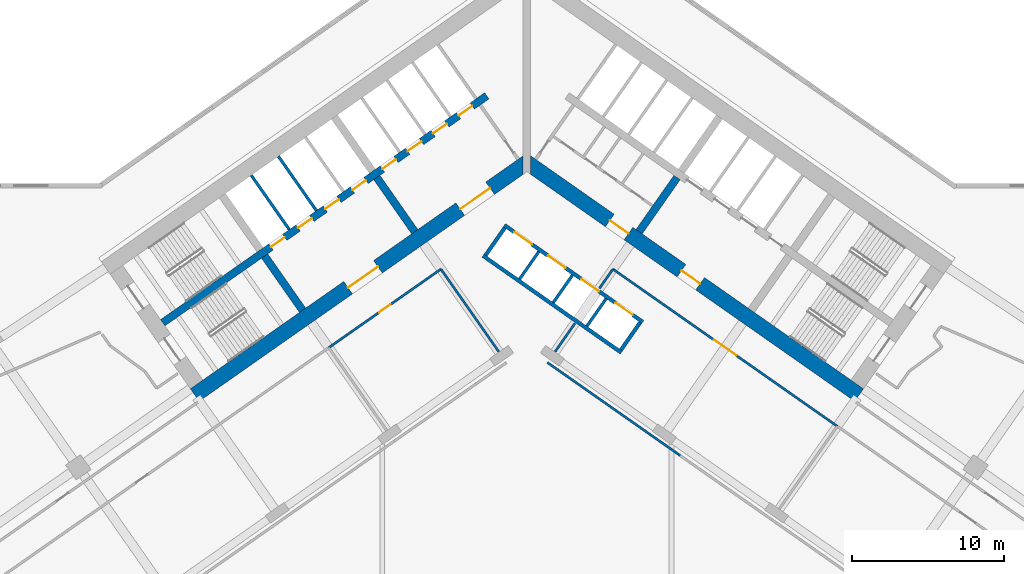
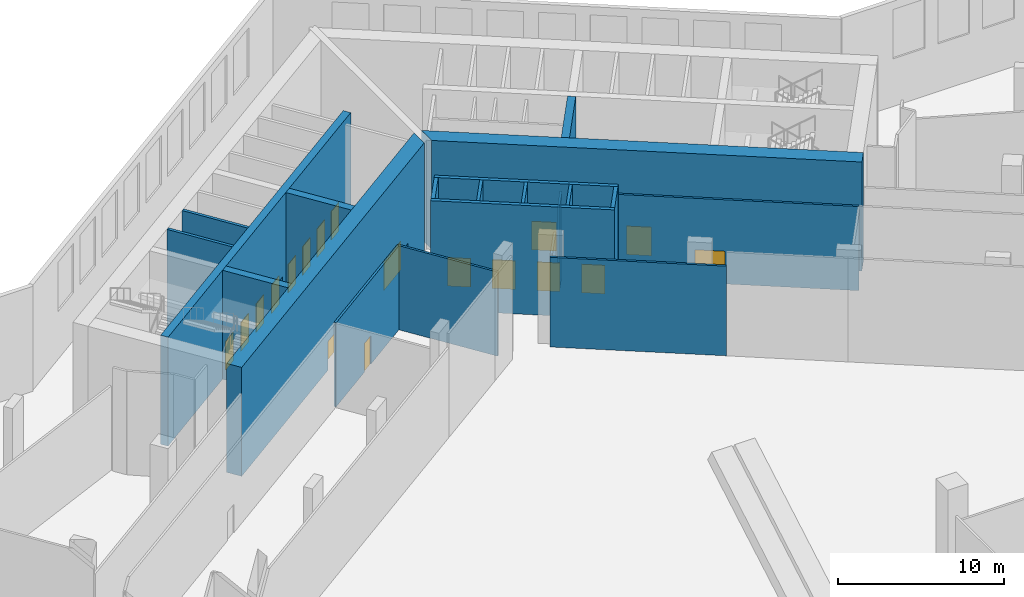
# One storey, part 10 of 27: 21 walls, 18 doors, 18 openings.
"""IFC4 building model written with IfcOpenShell, lengths in metres."""

from ifc_helpers import new_model, si_unit, direction, frame, frame_2d, origin, place, context, subcontext, project, spatial, polyline, rectangle, outline, extrude, material, layer, layer_set, type_object, element, fill, save


model = new_model("IFC4")

# Units and contexts
model_context = context("Model", 3, precision=1e-05, world=origin(), true_north=direction((0.0, 1.0)))
body_context = subcontext(model_context, "Body", "Model", "MODEL_VIEW")
ifc_project = project(units=[si_unit("LENGTHUNIT", "METRE"), si_unit("AREAUNIT", "SQUARE_METRE"), si_unit("VOLUMEUNIT", "CUBIC_METRE"), si_unit("PLANEANGLEUNIT", "RADIAN"), si_unit("MASSUNIT", "GRAM", prefix="KILO")], contexts=[model_context])

# Site, building, storey
site_placement = place(None, origin())
site = spatial("IfcSite", under=ifc_project, at=site_placement, CompositionType="ELEMENT")
building_placement = place(site_placement, origin())
building = spatial("IfcBuilding", under=site, at=building_placement, Name="Tel Ilan Convention Tower", CompositionType="ELEMENT")
storey_placement = place(building_placement, frame((0.0, 0.0, 18.0)))
storey = spatial("IfcBuildingStorey", under=building, at=storey_placement, Name="L02", CompositionType="ELEMENT", Elevation=18.0)

# Wall, openings, doors
ifc_material_1 = material(Name="Concrete C60/75", Category="concrete")
ifc_layer_1 = layer(ifc_material_1, 1.0)
ifc_layer_set_1 = layer_set([ifc_layer_1], Name="Core Shear Wall 1000 mm C60/75")
wall_type_1 = type_object("IfcWallType", Name="Core Shear Wall 1000 mm C60/75", PredefinedType="SHEAR", material=ifc_layer_set_1)
wall_1_placement = place(storey_placement, frame((0.036865234375, -0.584716796875, 0.0), z_axis=(0.0, 0.0, 1.0), x_axis=(-0.819157152511, -0.573569140985, 0.0)))
wall_1 = element("IfcWall", 1, at=wall_1_placement, inside=storey, type_object=wall_type_1, Name="L02 core wall W-front", PredefinedType="SHEAR", context=body_context, shape_type="SweptSolid", body=[
    extrude(outline(polyline([(26.69482421875, 0.500244140625), (0.7001953125, 0.499755859375), (0.0, -0.5), (26.69482421875, -0.499755859375), (26.69482421875, 0.500244140625)])), origin(), (0.0, 0.0, 1.0), 8.0),
])
opening_1_placement = place(wall_1_placement, frame((2.994873046875, 0.0, 0.0)))
opening_1 = element("IfcOpeningElement", 2, at=opening_1_placement, cuts=wall_1, Name="Opening CD0505", PredefinedType="OPENING", context=body_context, shape_type="SweptSolid", body=[
    extrude(rectangle(XDim=2.39990234375, YDim=2.10009765625, at=frame_2d((1.199951171875, 1.050048828125))), frame((0.0, 0.510009765625, 0.0), z_axis=(0.0, -1.0, 0.0), x_axis=(1.0, 0.0, 0.0)), (0.0, 0.0, 1.0), 1.02001953125),
])
opening_2_placement = place(wall_1_placement, frame((11.994873046875, 0.0, 0.0)))
opening_2 = element("IfcOpeningElement", 3, at=opening_2_placement, cuts=wall_1, Name="Opening CD0506", PredefinedType="OPENING", context=body_context, shape_type="SweptSolid", body=[
    extrude(rectangle(XDim=2.39990234375, YDim=2.10009765625, at=frame_2d((1.199951171875, 1.050048828125))), frame((0.0, 0.510009765625, 0.0), z_axis=(0.0, -1.0, 0.0), x_axis=(1.0, 0.0, 0.0)), (0.0, 0.0, 1.0), 1.02001953125),
])
ifc_material_2 = material(Name="Glazed Aluminium Door Leaf", Category="aluminium")
door_type_1 = type_object("IfcDoorType", Name="Lobby Opening Door 2400 x 2100 FD60S", OperationType="NOTDEFINED", PredefinedType="DOOR", material=ifc_material_2)
door_1_placement = place(opening_1_placement, origin())
door_1 = element("IfcDoor", 4, at=door_1_placement, inside=storey, type_object=door_type_1, Name="Lift Lobby LR1-LR4 opening", OperationType="DOUBLE_DOOR_SINGLE_SWING", OverallHeight=2.10009765625, OverallWidth=2.39990234375, PredefinedType="DOOR", context=body_context, shape_type="SweptSolid", body=[
    extrude(rectangle(XDim=2.39990234375, YDim=2.10009765625, at=frame_2d((1.199951171875, 1.050048828125))), frame((0.0, 0.02490234375, 0.0), z_axis=(0.0, -1.0, 0.0), x_axis=(1.0, 0.0, 0.0)), (0.0, 0.0, 1.0), 0.050048828125),
])
fill(opening_1, door_1)
door_2_placement = place(opening_2_placement, origin())
door_2 = element("IfcDoor", 5, at=door_2_placement, inside=storey, type_object=door_type_1, Name="Lift Lobby LR5-LR8 opening", OperationType="DOUBLE_DOOR_SINGLE_SWING", OverallHeight=2.10009765625, OverallWidth=2.39990234375, PredefinedType="DOOR", context=body_context, shape_type="SweptSolid", body=[
    extrude(rectangle(XDim=2.39990234375, YDim=2.10009765625, at=frame_2d((1.199951171875, 1.050048828125))), frame((0.0, 0.02490234375, 0.0), z_axis=(0.0, -1.0, 0.0), x_axis=(1.0, 0.0, 0.0)), (0.0, 0.0, 1.0), 0.050048828125),
])
fill(opening_2, door_2)

wall_2_placement = place(storey_placement, frame((-0.036865234375, -0.584716796875, 0.0), z_axis=(0.0, 0.0, 1.0), x_axis=(0.819157152511, -0.573569140985, 0.0)))
wall_2 = element("IfcWall", 6, at=wall_2_placement, inside=storey, type_object=wall_type_1, Name="L02 core wall E-front", PredefinedType="SHEAR", context=body_context, shape_type="SweptSolid", body=[
    extrude(outline(polyline([(26.69482421875, 0.499755859375), (0.0, 0.5), (0.7001953125, -0.499755859375), (26.69482421875, -0.500244140625), (26.69482421875, 0.499755859375)])), origin(), (0.0, 0.0, 1.0), 8.0),
])
opening_3_placement = place(wall_2_placement, frame((6.69482421875, 0.0, 0.0)))
opening_3 = element("IfcOpeningElement", 7, at=opening_3_placement, cuts=wall_2, Name="Opening CD0503", PredefinedType="OPENING", context=body_context, shape_type="SweptSolid", body=[
    extrude(rectangle(XDim=1.5, YDim=2.10009765625, at=frame_2d((0.75, 1.050048828125))), frame((0.0, 0.510009765625, 0.0), z_axis=(0.0, -1.0, 0.0), x_axis=(1.0, 0.0, 0.0)), (0.0, 0.0, 1.0), 1.02001953125),
])
opening_4_placement = place(wall_2_placement, frame((12.44482421875, 0.0, 0.0)))
opening_4 = element("IfcOpeningElement", 8, at=opening_4_placement, cuts=wall_2, Name="Opening CD0504", PredefinedType="OPENING", context=body_context, shape_type="SweptSolid", body=[
    extrude(rectangle(XDim=1.5, YDim=2.10009765625, at=frame_2d((0.75, 1.050048828125))), frame((0.0, 0.510009765625, 0.0), z_axis=(0.0, -1.0, 0.0), x_axis=(1.0, 0.0, 0.0)), (0.0, 0.0, 1.0), 1.02001953125),
])
ifc_material_3 = material(Name="Glazed Aluminium Door Leaf", Category="aluminium")
door_type_2 = type_object("IfcDoorType", Name="Lobby Opening Door 1500 x 2100 FD60S", OperationType="NOTDEFINED", PredefinedType="DOOR", material=ifc_material_3)
door_3_placement = place(opening_4_placement, origin())
door_3 = element("IfcDoor", 9, at=door_3_placement, inside=storey, type_object=door_type_2, Name="Firefighting Lobby door", OperationType="DOUBLE_DOOR_SINGLE_SWING", OverallHeight=2.10009765625, OverallWidth=1.5, PredefinedType="DOOR", context=body_context, shape_type="SweptSolid", body=[
    extrude(rectangle(XDim=1.5, YDim=2.10009765625, at=frame_2d((0.75, 1.050048828125))), frame((0.0, 0.02490234375, 0.0), z_axis=(0.0, -1.0, 0.0), x_axis=(1.0, 0.0, 0.0)), (0.0, 0.0, 1.0), 0.050048828125),
])
fill(opening_4, door_3)
ifc_material_4 = material(Name="Laminated Timber Door Leaf", Category="wood")
door_type_3 = type_object("IfcDoorType", Name="Toilet Door 1500 x 2100 FD30S", OperationType="NOTDEFINED", PredefinedType="DOOR", material=ifc_material_4)
door_4_placement = place(opening_3_placement, origin())
door_4 = element("IfcDoor", 10, at=door_4_placement, inside=storey, type_object=door_type_3, Name="WC Lobby door", OperationType="SINGLE_SWING_RIGHT", OverallHeight=2.10009765625, OverallWidth=1.5, PredefinedType="DOOR", context=body_context, shape_type="SweptSolid", body=[
    extrude(rectangle(XDim=1.5, YDim=2.10009765625, at=frame_2d((0.75, 1.050048828125))), frame((0.0, 0.02490234375, 0.0), z_axis=(0.0, -1.0, 0.0), x_axis=(1.0, 0.0, 0.0)), (0.0, 0.0, 1.0), 0.050048828125),
])
fill(opening_3, door_4)

# Walls
ifc_material_5 = material(Name="Concrete C60/75", Category="concrete")
ifc_layer_2 = layer(ifc_material_5, 0.5)
ifc_layer_set_2 = layer_set([ifc_layer_2], Name="Core Shear Wall 500 mm C60/75")
wall_type_2 = type_object("IfcWallType", Name="Core Shear Wall 500 mm C60/75", PredefinedType="SHEAR", material=ifc_layer_set_2)
wall_3_placement = place(storey_placement, frame((-7.372314453125, -5.162109375, 0.0), z_axis=(0.0, 0.0, 1.0), x_axis=(-0.573594173421, 0.819139624372, 0.0)))
element("IfcWall", 11, at=wall_3_placement, inside=storey, type_object=wall_type_2, Name="L02 core wall W-cross1-1", PredefinedType="SHEAR", context=body_context, shape_type="SweptSolid", body=[
    extrude(outline(polyline([(4.349853515625, 0.25), (0.0, 0.250244140625), (0.0, -0.25), (4.349853515625, -0.25), (4.349853515625, 0.25)])), origin(), (0.0, 0.0, 1.0), 8.0),
])
wall_4_placement = place(storey_placement, frame((-14.74462890625, -10.324462890625, 0.0), z_axis=(0.0, 0.0, 1.0), x_axis=(-0.57356780395, 0.819158088694, 0.0)))
element("IfcWall", 12, at=wall_4_placement, inside=storey, type_object=wall_type_2, Name="L02 core wall W-cross2-1", PredefinedType="SHEAR", context=body_context, shape_type="SweptSolid", body=[
    extrude(outline(polyline([(4.35009765625, 0.250244140625), (0.0, 0.25), (0.0, -0.25), (4.35009765625, -0.25), (4.35009765625, 0.250244140625)])), origin(), (0.0, 0.0, 1.0), 8.0),
])

# Wall, openings, doors
wall_5_placement = place(storey_placement, frame((-2.638427734375, 3.76806640625, 0.0), z_axis=(0.0, 0.0, 1.0), x_axis=(-0.819148977158, -0.573580816643, 0.0)))
wall_5 = element("IfcWall", 13, at=wall_5_placement, inside=storey, type_object=wall_type_2, Name="L02 core wall W-spine", PredefinedType="SHEAR", context=body_context, shape_type="SweptSolid", body=[
    extrude(outline(polyline([(26.0, 0.249755859375), (0.0, 0.25), (0.0, -0.25), (26.0, -0.250244140625), (26.0, 0.249755859375)])), origin(), (0.0, 0.0, 1.0), 8.0),
])
opening_5_placement = place(wall_5_placement, frame((1.168701171875, 0.0, 0.0)))
opening_5 = element("IfcOpeningElement", 14, at=opening_5_placement, cuts=wall_5, Name="Opening LD0504", PredefinedType="OPENING", context=body_context, shape_type="SweptSolid", body=[
    extrude(rectangle(XDim=1.10009765625, YDim=2.10009765625, at=frame_2d((0.550048828125, 1.050048828125))), frame((0.0, 0.260009765625, 0.0), z_axis=(0.0, -1.0, 0.0), x_axis=(1.0, 0.0, 0.0)), (0.0, 0.0, 1.0), 0.52001953125),
])
opening_6_placement = place(wall_5_placement, frame((3.206298828125, 0.0, 0.0)))
opening_6 = element("IfcOpeningElement", 15, at=opening_6_placement, cuts=wall_5, Name="Opening LD0505", PredefinedType="OPENING", context=body_context, shape_type="SweptSolid", body=[
    extrude(rectangle(XDim=1.10009765625, YDim=2.10009765625, at=frame_2d((0.550048828125, 1.050048828125))), frame((0.0, 0.260009765625, 0.0), z_axis=(0.0, -1.0, 0.0), x_axis=(1.0, 0.0, 0.0)), (0.0, 0.0, 1.0), 0.52001953125),
])
opening_7_placement = place(wall_5_placement, frame((5.24365234375, 0.0, 0.0)))
opening_7 = element("IfcOpeningElement", 16, at=opening_7_placement, cuts=wall_5, Name="Opening LD0506", PredefinedType="OPENING", context=body_context, shape_type="SweptSolid", body=[
    extrude(rectangle(XDim=1.10009765625, YDim=2.10009765625, at=frame_2d((0.550048828125, 1.050048828125))), frame((0.0, 0.260009765625, 0.0), z_axis=(0.0, -1.0, 0.0), x_axis=(1.0, 0.0, 0.0)), (0.0, 0.0, 1.0), 0.52001953125),
])
opening_8_placement = place(wall_5_placement, frame((7.28125, 0.0, 0.0)))
opening_8 = element("IfcOpeningElement", 17, at=opening_8_placement, cuts=wall_5, Name="Opening LD0507", PredefinedType="OPENING", context=body_context, shape_type="SweptSolid", body=[
    extrude(rectangle(XDim=1.10009765625, YDim=2.10009765625, at=frame_2d((0.550048828125, 1.050048828125))), frame((0.0, 0.260009765625, 0.0), z_axis=(0.0, -1.0, 0.0), x_axis=(1.0, 0.0, 0.0)), (0.0, 0.0, 1.0), 0.52001953125),
])
opening_9_placement = place(wall_5_placement, frame((9.6875, 0.0, 0.0)))
opening_9 = element("IfcOpeningElement", 18, at=opening_9_placement, cuts=wall_5, Name="Opening LD0508", PredefinedType="OPENING", context=body_context, shape_type="SweptSolid", body=[
    extrude(rectangle(XDim=1.10009765625, YDim=2.10009765625, at=frame_2d((0.550048828125, 1.050048828125))), frame((0.0, 0.260009765625, 0.0), z_axis=(0.0, -1.0, 0.0), x_axis=(1.0, 0.0, 0.0)), (0.0, 0.0, 1.0), 0.52001953125),
])
opening_10_placement = place(wall_5_placement, frame((11.862548828125, 0.0, 0.0)))
opening_10 = element("IfcOpeningElement", 19, at=opening_10_placement, cuts=wall_5, Name="Opening LD0509", PredefinedType="OPENING", context=body_context, shape_type="SweptSolid", body=[
    extrude(rectangle(XDim=1.10009765625, YDim=2.10009765625, at=frame_2d((0.550048828125, 1.050048828125))), frame((0.0, 0.260009765625, 0.0), z_axis=(0.0, -1.0, 0.0), x_axis=(1.0, 0.0, 0.0)), (0.0, 0.0, 1.0), 0.52001953125),
])
opening_11_placement = place(wall_5_placement, frame((14.03759765625, 0.0, 0.0)))
opening_11 = element("IfcOpeningElement", 20, at=opening_11_placement, cuts=wall_5, Name="Opening LD0510", PredefinedType="OPENING", context=body_context, shape_type="SweptSolid", body=[
    extrude(rectangle(XDim=1.10009765625, YDim=2.10009765625, at=frame_2d((0.550048828125, 1.050048828125))), frame((0.0, 0.260009765625, 0.0), z_axis=(0.0, -1.0, 0.0), x_axis=(1.0, 0.0, 0.0)), (0.0, 0.0, 1.0), 0.52001953125),
])
opening_12_placement = place(wall_5_placement, frame((16.21240234375, 0.0, 0.0)))
opening_12 = element("IfcOpeningElement", 21, at=opening_12_placement, cuts=wall_5, Name="Opening LD0511", PredefinedType="OPENING", context=body_context, shape_type="SweptSolid", body=[
    extrude(rectangle(XDim=1.10009765625, YDim=2.10009765625, at=frame_2d((0.550048828125, 1.050048828125))), frame((0.0, 0.260009765625, 0.0), z_axis=(0.0, -1.0, 0.0), x_axis=(1.0, 0.0, 0.0)), (0.0, 0.0, 1.0), 0.52001953125),
])
ifc_material_6 = material(Name="Stainless Steel Sliding Door Leaf", Category="steel")
door_type_4 = type_object("IfcDoorType", Name="Lift Landing Door 1100 x 2100 FD120", OperationType="NOTDEFINED", PredefinedType="DOOR", material=ifc_material_6)
door_5_placement = place(opening_5_placement, origin())
door_5 = element("IfcDoor", 22, at=door_5_placement, inside=storey, type_object=door_type_4, Name="Lift LR1 landing door", OperationType="SLIDING_TO_LEFT", OverallHeight=2.10009765625, OverallWidth=1.10009765625, PredefinedType="DOOR", context=body_context, shape_type="SweptSolid", body=[
    extrude(rectangle(XDim=1.10009765625, YDim=2.10009765625, at=frame_2d((0.550048828125, 1.050048828125))), frame((0.0, 0.02490234375, 0.0), z_axis=(0.0, -1.0, 0.0), x_axis=(1.0, 0.0, 0.0)), (0.0, 0.0, 1.0), 0.050048828125),
])
fill(opening_5, door_5)
door_6_placement = place(opening_6_placement, origin())
door_6 = element("IfcDoor", 23, at=door_6_placement, inside=storey, type_object=door_type_4, Name="Lift LR2 landing door", OperationType="SLIDING_TO_RIGHT", OverallHeight=2.10009765625, OverallWidth=1.10009765625, PredefinedType="DOOR", context=body_context, shape_type="SweptSolid", body=[
    extrude(rectangle(XDim=1.10009765625, YDim=2.10009765625, at=frame_2d((0.550048828125, 1.050048828125))), frame((0.0, 0.02490234375, 0.0), z_axis=(0.0, -1.0, 0.0), x_axis=(1.0, 0.0, 0.0)), (0.0, 0.0, 1.0), 0.050048828125),
])
fill(opening_6, door_6)
door_7_placement = place(opening_7_placement, origin())
door_7 = element("IfcDoor", 24, at=door_7_placement, inside=storey, type_object=door_type_4, Name="Lift LR3 landing door", OperationType="SLIDING_TO_LEFT", OverallHeight=2.10009765625, OverallWidth=1.10009765625, PredefinedType="DOOR", context=body_context, shape_type="SweptSolid", body=[
    extrude(rectangle(XDim=1.10009765625, YDim=2.10009765625, at=frame_2d((0.550048828125, 1.050048828125))), frame((0.0, 0.02490234375, 0.0), z_axis=(0.0, -1.0, 0.0), x_axis=(1.0, 0.0, 0.0)), (0.0, 0.0, 1.0), 0.050048828125),
])
fill(opening_7, door_7)
door_8_placement = place(opening_8_placement, origin())
door_8 = element("IfcDoor", 25, at=door_8_placement, inside=storey, type_object=door_type_4, Name="Lift LR4 landing door", OperationType="SLIDING_TO_RIGHT", OverallHeight=2.10009765625, OverallWidth=1.10009765625, PredefinedType="DOOR", context=body_context, shape_type="SweptSolid", body=[
    extrude(rectangle(XDim=1.10009765625, YDim=2.10009765625, at=frame_2d((0.550048828125, 1.050048828125))), frame((0.0, 0.02490234375, 0.0), z_axis=(0.0, -1.0, 0.0), x_axis=(1.0, 0.0, 0.0)), (0.0, 0.0, 1.0), 0.050048828125),
])
fill(opening_8, door_8)
door_9_placement = place(opening_9_placement, origin())
door_9 = element("IfcDoor", 26, at=door_9_placement, inside=storey, type_object=door_type_4, Name="Lift LR5 landing door", OperationType="SLIDING_TO_LEFT", OverallHeight=2.10009765625, OverallWidth=1.10009765625, PredefinedType="DOOR", context=body_context, shape_type="SweptSolid", body=[
    extrude(rectangle(XDim=1.10009765625, YDim=2.10009765625, at=frame_2d((0.550048828125, 1.050048828125))), frame((0.0, 0.02490234375, 0.0), z_axis=(0.0, -1.0, 0.0), x_axis=(1.0, 0.0, 0.0)), (0.0, 0.0, 1.0), 0.050048828125),
])
fill(opening_9, door_9)
door_10_placement = place(opening_10_placement, origin())
door_10 = element("IfcDoor", 27, at=door_10_placement, inside=storey, type_object=door_type_4, Name="Lift LR6 landing door", OperationType="SLIDING_TO_RIGHT", OverallHeight=2.10009765625, OverallWidth=1.10009765625, PredefinedType="DOOR", context=body_context, shape_type="SweptSolid", body=[
    extrude(rectangle(XDim=1.10009765625, YDim=2.10009765625, at=frame_2d((0.550048828125, 1.050048828125))), frame((0.0, 0.02490234375, 0.0), z_axis=(0.0, -1.0, 0.0), x_axis=(1.0, 0.0, 0.0)), (0.0, 0.0, 1.0), 0.050048828125),
])
fill(opening_10, door_10)
door_11_placement = place(opening_11_placement, origin())
door_11 = element("IfcDoor", 28, at=door_11_placement, inside=storey, type_object=door_type_4, Name="Lift LR7 landing door", OperationType="SLIDING_TO_LEFT", OverallHeight=2.10009765625, OverallWidth=1.10009765625, PredefinedType="DOOR", context=body_context, shape_type="SweptSolid", body=[
    extrude(rectangle(XDim=1.10009765625, YDim=2.10009765625, at=frame_2d((0.550048828125, 1.050048828125))), frame((0.0, 0.02490234375, 0.0), z_axis=(0.0, -1.0, 0.0), x_axis=(1.0, 0.0, 0.0)), (0.0, 0.0, 1.0), 0.050048828125),
])
fill(opening_11, door_11)
door_12_placement = place(opening_12_placement, origin())
door_12 = element("IfcDoor", 29, at=door_12_placement, inside=storey, type_object=door_type_4, Name="Lift LR8 landing door", OperationType="SLIDING_TO_RIGHT", OverallHeight=2.10009765625, OverallWidth=1.10009765625, PredefinedType="DOOR", context=body_context, shape_type="SweptSolid", body=[
    extrude(rectangle(XDim=1.10009765625, YDim=2.10009765625, at=frame_2d((0.550048828125, 1.050048828125))), frame((0.0, 0.02490234375, 0.0), z_axis=(0.0, -1.0, 0.0), x_axis=(1.0, 0.0, 0.0)), (0.0, 0.0, 1.0), 0.050048828125),
])
fill(opening_12, door_12)

# Wall
wall_6_placement = place(storey_placement, frame((7.372314453125, -5.162109375, 0.0), z_axis=(0.0, 0.0, 1.0), x_axis=(0.573594173421, 0.819139624372, 0.0)))
element("IfcWall", 30, at=wall_6_placement, inside=storey, type_object=wall_type_2, Name="L02 core wall E-cross1-1", PredefinedType="SHEAR", context=body_context, shape_type="SweptSolid", body=[
    extrude(outline(polyline([(0.0, 0.25), (0.0, -0.250244140625), (4.349853515625, -0.25), (4.349853515625, 0.25), (0.0, 0.25)])), origin(), (0.0, 0.0, 1.0), 8.0),
])

# Wall, opening, door
ifc_material_7 = material(Name="Plasterboard on Steel Studs", Category="steel")
ifc_layer_3 = layer(ifc_material_7, 0.14990234375)
ifc_layer_set_3 = layer_set([ifc_layer_3], Name="Fire-rated Partition 150 EI 60")
wall_type_3 = type_object("IfcWallType", Name="Fire-rated Partition 150 EI 60", PredefinedType="PARTITIONING", material=ifc_layer_set_3)
wall_7_placement = place(storey_placement, frame((20.39794921875, -17.9453125, 0.0), z_axis=(0.0, 0.0, 1.0), x_axis=(-0.819147172988, 0.573583393228, 0.0)))
wall_7 = element("IfcWall", 31, at=wall_7_placement, inside=storey, type_object=wall_type_3, Name="Partition 002", PredefinedType="PARTITIONING", context=body_context, shape_type="SweptSolid", body=[
    extrude(rectangle(XDim=18.001953125, YDim=0.14990234375, at=frame_2d((9.0009765625, 0.0))), origin(), (0.0, 0.0, 1.0), 6.179931640625),
])
opening_13_placement = place(wall_7_placement, frame((8.10107421875, 0.0, 0.0)))
opening_13 = element("IfcOpeningElement", 32, at=opening_13_placement, cuts=wall_7, Name="Opening L02-004", PredefinedType="OPENING", context=body_context, shape_type="SweptSolid", body=[
    extrude(rectangle(XDim=1.800048828125, YDim=2.39990234375, at=frame_2d((0.89990234375, 1.199951171875))), frame((0.0, 0.0849609375, 0.0), z_axis=(0.0, -1.0, 0.0), x_axis=(1.0, 0.0, 0.0)), (0.0, 0.0, 1.0), 0.169921875),
])
ifc_material_8 = material(Name="Timber Door Leaf in Steel Frame", Category="steel")
door_type_5 = type_object("IfcDoorType", Name="Hall Double Fire Door 1800x2400", OperationType="NOTDEFINED", PredefinedType="DOOR", material=ifc_material_8)
door_13_placement = place(opening_13_placement, origin())
door_13 = element("IfcDoor", 33, at=door_13_placement, inside=storey, type_object=door_type_5, Name="Door L02-004", OperationType="DOUBLE_DOOR_SINGLE_SWING", OverallHeight=2.39990234375, OverallWidth=1.800048828125, PredefinedType="DOOR", context=body_context, shape_type="SweptSolid", body=[
    extrude(rectangle(XDim=1.800048828125, YDim=2.39990234375, at=frame_2d((0.89990234375, 1.199951171875))), frame((0.0, 0.02490234375, 0.0), z_axis=(0.0, -1.0, 0.0), x_axis=(1.0, 0.0, 0.0)), (0.0, 0.0, 1.0), 0.050048828125),
])
fill(opening_13, door_13)

wall_8_placement = place(storey_placement, frame((-5.651611328125, -7.61962890625, 0.0), z_axis=(0.0, 0.0, 1.0), x_axis=(-0.81915291695, -0.57357519006, 0.0)))
wall_8 = element("IfcWall", 34, at=wall_8_placement, inside=storey, type_object=wall_type_3, Name="Partition 005", PredefinedType="PARTITIONING", context=body_context, shape_type="SweptSolid", body=[
    extrude(rectangle(XDim=9.001953125, YDim=0.14990234375, at=frame_2d((4.5009765625, 0.0))), origin(), (0.0, 0.0, 1.0), 6.179931640625),
])
opening_14_placement = place(wall_8_placement, frame((4.051025390625, 0.0, 0.0)))
opening_14 = element("IfcOpeningElement", 35, at=opening_14_placement, cuts=wall_8, Name="Opening L02-001", PredefinedType="OPENING", context=body_context, shape_type="SweptSolid", body=[
    extrude(rectangle(XDim=0.89990234375, YDim=2.10009765625, at=frame_2d((0.449951171875, 1.050048828125))), frame((0.0, 0.0849609375, 0.0), z_axis=(0.0, -1.0, 0.0), x_axis=(1.0, 0.0, 0.0)), (0.0, 0.0, 1.0), 0.169921875),
])
ifc_material_9 = material(Name="Timber Door Leaf in Steel Frame", Category="steel")
door_type_6 = type_object("IfcDoorType", Name="Room Fire Door 900x2100", OperationType="NOTDEFINED", PredefinedType="DOOR", material=ifc_material_9)
door_14_placement = place(opening_14_placement, origin())
door_14 = element("IfcDoor", 36, at=door_14_placement, inside=storey, type_object=door_type_6, Name="Door L02-001", OperationType="SINGLE_SWING_RIGHT", OverallHeight=2.10009765625, OverallWidth=0.89990234375, PredefinedType="DOOR", context=body_context, shape_type="SweptSolid", body=[
    extrude(rectangle(XDim=0.89990234375, YDim=2.10009765625, at=frame_2d((0.449951171875, 1.050048828125))), frame((0.0, 0.02490234375, 0.0), z_axis=(0.0, -1.0, 0.0), x_axis=(1.0, 0.0, 0.0)), (0.0, 0.0, 1.0), 0.050048828125),
])
fill(opening_14, door_14)

# Walls
wall_9_placement = place(storey_placement, frame((10.0751953125, -19.872802734375, 0.0), z_axis=(0.0, 0.0, 1.0), x_axis=(-0.819148998885, 0.573580785615, 0.0)))
element("IfcWall", 37, at=wall_9_placement, inside=storey, type_object=wall_type_3, Name="Partition 019", PredefinedType="PARTITIONING", context=body_context, shape_type="SweptSolid", body=[
    extrude(rectangle(XDim=10.651611328125, YDim=0.14990234375, at=frame_2d((5.32568359375, 0.0))), origin(), (0.0, 0.0, 1.0), 6.580078125),
])
wall_10_placement = place(storey_placement, frame((1.848876953125, -13.050537109375, 0.0), z_axis=(0.0, 0.0, 1.0), x_axis=(0.57358452344, 0.819146381589, 0.0)))
element("IfcWall", 38, at=wall_10_placement, inside=storey, type_object=wall_type_3, Name="Partition 020", PredefinedType="PARTITIONING", context=body_context, shape_type="SweptSolid", body=[
    extrude(rectangle(XDim=2.27978515625, YDim=0.14990234375, at=frame_2d((1.139892578125, 0.0))), origin(), (0.0, 0.0, 1.0), 6.179931640625),
])
wall_11_placement = place(storey_placement, frame((4.7626953125, -8.889404296875, 0.0), z_axis=(0.0, 0.0, 1.0), x_axis=(0.573494057365, 0.819209720504, 0.0)))
element("IfcWall", 39, at=wall_11_placement, inside=storey, type_object=wall_type_3, Name="Partition 021", PredefinedType="PARTITIONING", context=body_context, shape_type="SweptSolid", body=[
    extrude(rectangle(XDim=1.550048828125, YDim=0.14990234375, at=frame_2d((0.77490234375, 0.0))), origin(), (0.0, 0.0, 1.0), 6.179931640625),
])
wall_12_placement = place(storey_placement, frame((-1.848876953125, -13.050537109375, 0.0), z_axis=(0.0, 0.0, 1.0), x_axis=(-0.573575988258, 0.819152358047, 0.0)))
element("IfcWall", 40, at=wall_12_placement, inside=storey, type_object=wall_type_3, Name="Partition 068", PredefinedType="PARTITIONING", context=body_context, shape_type="SweptSolid", body=[
    extrude(rectangle(XDim=6.632080078125, YDim=0.14990234375, at=frame_2d((3.31591796875, 0.0))), origin(), (0.0, 0.0, 1.0), 6.179931640625),
])
ifc_material_10 = material(Name="Concrete C30/37", Category="concrete")
ifc_layer_4 = layer(ifc_material_10, 0.199951171875)
ifc_layer_set_4 = layer_set([ifc_layer_4], Name="Lift Shaft Wall 200 mm C30/37")
wall_type_4 = type_object("IfcWallType", Name="Lift Shaft Wall 200 mm C30/37", PredefinedType="SOLIDWALL", material=ifc_layer_set_4)
wall_13_placement = place(storey_placement, frame((-13.84033203125, -3.7705078125, 0.0), z_axis=(0.0, 0.0, 1.0), x_axis=(-0.57356780395, 0.819158088694, 0.0)))
element("IfcWall", 41, at=wall_13_placement, inside=storey, type_object=wall_type_4, Name="L02 core wall bank-W2-p1", PredefinedType="SOLIDWALL", context=body_context, shape_type="SweptSolid", body=[
    extrude(rectangle(XDim=4.35009765625, YDim=0.199951171875, at=frame_2d((2.175048828125, 0.0))), origin(), (0.0, 0.0, 1.0), 8.0),
])
wall_14_placement = place(storey_placement, frame((-15.6220703125, -5.017822265625, 0.0), z_axis=(0.0, 0.0, 1.0), x_axis=(-0.573594173421, 0.819139624372, 0.0)))
element("IfcWall", 42, at=wall_14_placement, inside=storey, type_object=wall_type_4, Name="L02 core wall bank-W2-p2", PredefinedType="SOLIDWALL", context=body_context, shape_type="SweptSolid", body=[
    extrude(rectangle(XDim=4.349853515625, YDim=0.199951171875, at=frame_2d((2.1748046875, 0.0))), origin(), (0.0, 0.0, 1.0), 8.0),
])
for number, where, z_axis, x_axis, name in (
    (43, (-0.48046875, -8.27001953125, 0.0), (0.0, 0.0, 1.0), (0.573633636671, 0.819111989218, 0.0), "L02 core wall pl-part-0"),
    (44, (1.731201171875, -9.818603515625, 0.0), (0.0, 0.0, 1.0), (0.573633636671, 0.819111989218, 0.0), "L02 core wall pl-part-1"),
    (45, (3.943115234375, -11.367431640625, 0.0), (0.0, 0.0, 1.0), (0.573507030513, 0.819200638399, 0.0), "L02 core wall pl-part-2"),
):
    element("IfcWall", number, at=place(storey_placement, frame(where, z_axis=z_axis, x_axis=x_axis)), inside=storey, type_object=wall_type_4, Name=name, PredefinedType="SOLIDWALL", context=body_context, shape_type="SweptSolid", body=[
        extrude(rectangle(XDim=2.199951171875, YDim=0.199951171875, at=frame_2d((1.10009765625, 0.0))), origin(), (0.0, 0.0, 1.0), 8.0),
    ])
ifc_material_11 = material(Name="Concrete C30/37", Category="concrete")
ifc_layer_5 = layer(ifc_material_11, 0.25)
ifc_layer_set_5 = layer_set([ifc_layer_5], Name="Lift Shaft Wall 250 mm C30/37")
wall_type_5 = type_object("IfcWallType", Name="Lift Shaft Wall 250 mm C30/37", PredefinedType="SOLIDWALL", material=ifc_layer_set_5)
wall_15_placement = place(storey_placement, frame((-2.88671875, -6.73779296875, 0.0), z_axis=(0.0, 0.0, 1.0), x_axis=(0.819150280716, -0.573578954985, 0.0)))
element("IfcWall", 46, at=wall_15_placement, inside=storey, type_object=wall_type_5, Name="L02 core wall pl-back", PredefinedType="SOLIDWALL", context=body_context, shape_type="SweptSolid", body=[
    extrude(rectangle(XDim=11.099853515625, YDim=0.25, at=frame_2d((5.5498046875, 0.0))), origin(), (0.0, 0.0, 1.0), 8.0),
])

# Wall, openings, doors
wall_16_placement = place(storey_placement, frame((-1.4814453125, -4.73095703125, 0.0), z_axis=(0.0, 0.0, 1.0), x_axis=(0.819150280716, -0.573578954985, 0.0)))
wall_16 = element("IfcWall", 47, at=wall_16_placement, inside=storey, type_object=wall_type_5, Name="L02 core wall pl-front", PredefinedType="SOLIDWALL", context=body_context, shape_type="SweptSolid", body=[
    extrude(rectangle(XDim=11.099853515625, YDim=0.25, at=frame_2d((5.5498046875, 0.0))), origin(), (0.0, 0.0, 1.0), 8.0),
])
opening_15_placement = place(wall_16_placement, frame((0.800048828125, 0.0, 0.0)))
opening_15 = element("IfcOpeningElement", 48, at=opening_15_placement, cuts=wall_16, Name="Opening LD0512", PredefinedType="OPENING", context=body_context, shape_type="SweptSolid", body=[
    extrude(rectangle(XDim=1.39990234375, YDim=2.10009765625, at=frame_2d((0.699951171875, 1.050048828125))), frame((0.0, 0.135009765625, 0.0), z_axis=(0.0, -1.0, 0.0), x_axis=(1.0, 0.0, 0.0)), (0.0, 0.0, 1.0), 0.27001953125),
])
opening_16_placement = place(wall_16_placement, frame((3.5, 0.0, 0.0)))
opening_16 = element("IfcOpeningElement", 49, at=opening_16_placement, cuts=wall_16, Name="Opening LD0513", PredefinedType="OPENING", context=body_context, shape_type="SweptSolid", body=[
    extrude(rectangle(XDim=1.39990234375, YDim=2.10009765625, at=frame_2d((0.699951171875, 1.050048828125))), frame((0.0, 0.135009765625, 0.0), z_axis=(0.0, -1.0, 0.0), x_axis=(1.0, 0.0, 0.0)), (0.0, 0.0, 1.0), 0.27001953125),
])
opening_17_placement = place(wall_16_placement, frame((6.199951171875, 0.0, 0.0)))
opening_17 = element("IfcOpeningElement", 50, at=opening_17_placement, cuts=wall_16, Name="Opening LD0514", PredefinedType="OPENING", context=body_context, shape_type="SweptSolid", body=[
    extrude(rectangle(XDim=1.39990234375, YDim=2.10009765625, at=frame_2d((0.699951171875, 1.050048828125))), frame((0.0, 0.135009765625, 0.0), z_axis=(0.0, -1.0, 0.0), x_axis=(1.0, 0.0, 0.0)), (0.0, 0.0, 1.0), 0.27001953125),
])
opening_18_placement = place(wall_16_placement, frame((8.89990234375, 0.0, 0.0)))
opening_18 = element("IfcOpeningElement", 51, at=opening_18_placement, cuts=wall_16, Name="Opening LD0515", PredefinedType="OPENING", context=body_context, shape_type="SweptSolid", body=[
    extrude(rectangle(XDim=1.39990234375, YDim=2.10009765625, at=frame_2d((0.699951171875, 1.050048828125))), frame((0.0, 0.135009765625, 0.0), z_axis=(0.0, -1.0, 0.0), x_axis=(1.0, 0.0, 0.0)), (0.0, 0.0, 1.0), 0.27001953125),
])
ifc_material_12 = material(Name="Stainless Steel Sliding Door Leaf", Category="steel")
door_type_7 = type_object("IfcDoorType", Name="Lift Landing Door 1400 x 2100 FD120", OperationType="NOTDEFINED", PredefinedType="DOOR", material=ifc_material_12)
door_15_placement = place(opening_15_placement, origin())
door_15 = element("IfcDoor", 52, at=door_15_placement, inside=storey, type_object=door_type_7, Name="Lift PL1 landing door", OperationType="SLIDING_TO_LEFT", OverallHeight=2.10009765625, OverallWidth=1.39990234375, PredefinedType="DOOR", context=body_context, shape_type="SweptSolid", body=[
    extrude(rectangle(XDim=1.39990234375, YDim=2.10009765625, at=frame_2d((0.699951171875, 1.050048828125))), frame((0.0, 0.02490234375, 0.0), z_axis=(0.0, -1.0, 0.0), x_axis=(1.0, 0.0, 0.0)), (0.0, 0.0, 1.0), 0.050048828125),
])
fill(opening_15, door_15)
door_16_placement = place(opening_16_placement, origin())
door_16 = element("IfcDoor", 53, at=door_16_placement, inside=storey, type_object=door_type_7, Name="Lift PL2 landing door", OperationType="SLIDING_TO_RIGHT", OverallHeight=2.10009765625, OverallWidth=1.39990234375, PredefinedType="DOOR", context=body_context, shape_type="SweptSolid", body=[
    extrude(rectangle(XDim=1.39990234375, YDim=2.10009765625, at=frame_2d((0.699951171875, 1.050048828125))), frame((0.0, 0.02490234375, 0.0), z_axis=(0.0, -1.0, 0.0), x_axis=(1.0, 0.0, 0.0)), (0.0, 0.0, 1.0), 0.050048828125),
])
fill(opening_16, door_16)
door_17_placement = place(opening_17_placement, origin())
door_17 = element("IfcDoor", 54, at=door_17_placement, inside=storey, type_object=door_type_7, Name="Lift PL3 landing door", OperationType="SLIDING_TO_LEFT", OverallHeight=2.10009765625, OverallWidth=1.39990234375, PredefinedType="DOOR", context=body_context, shape_type="SweptSolid", body=[
    extrude(rectangle(XDim=1.39990234375, YDim=2.10009765625, at=frame_2d((0.699951171875, 1.050048828125))), frame((0.0, 0.02490234375, 0.0), z_axis=(0.0, -1.0, 0.0), x_axis=(1.0, 0.0, 0.0)), (0.0, 0.0, 1.0), 0.050048828125),
])
fill(opening_17, door_17)
door_18_placement = place(opening_18_placement, origin())
door_18 = element("IfcDoor", 55, at=door_18_placement, inside=storey, type_object=door_type_7, Name="Lift PL4 landing door", OperationType="SLIDING_TO_RIGHT", OverallHeight=2.10009765625, OverallWidth=1.39990234375, PredefinedType="DOOR", context=body_context, shape_type="SweptSolid", body=[
    extrude(rectangle(XDim=1.39990234375, YDim=2.10009765625, at=frame_2d((0.699951171875, 1.050048828125))), frame((0.0, 0.02490234375, 0.0), z_axis=(0.0, -1.0, 0.0), x_axis=(1.0, 0.0, 0.0)), (0.0, 0.0, 1.0), 0.050048828125),
])
fill(opening_18, door_18)

# Walls
wall_17_placement = place(storey_placement, frame((-2.712646484375, -6.70703125, 0.0), z_axis=(0.0, 0.0, 1.0), x_axis=(0.573581496053, 0.819148501424, 0.0)))
element("IfcWall", 56, at=wall_17_placement, inside=storey, type_object=wall_type_5, Name="L02 core wall pl-end-a", PredefinedType="SOLIDWALL", context=body_context, shape_type="SweptSolid", body=[
    extrude(rectangle(XDim=2.2001953125, YDim=0.25, at=frame_2d((1.10009765625, 0.0))), origin(), (0.0, 0.0, 1.0), 8.0),
])
wall_18_placement = place(storey_placement, frame((6.17529296875, -12.930419921875, 0.0), z_axis=(0.0, 0.0, 1.0), x_axis=(0.573559170999, 0.819164133348, 0.0)))
element("IfcWall", 57, at=wall_18_placement, inside=storey, type_object=wall_type_5, Name="L02 core wall pl-end-b", PredefinedType="SOLIDWALL", context=body_context, shape_type="SweptSolid", body=[
    extrude(rectangle(XDim=2.19970703125, YDim=0.25, at=frame_2d((1.099853515625, 0.0))), origin(), (0.0, 0.0, 1.0), 8.0),
])

save(model, "model.ifc")
